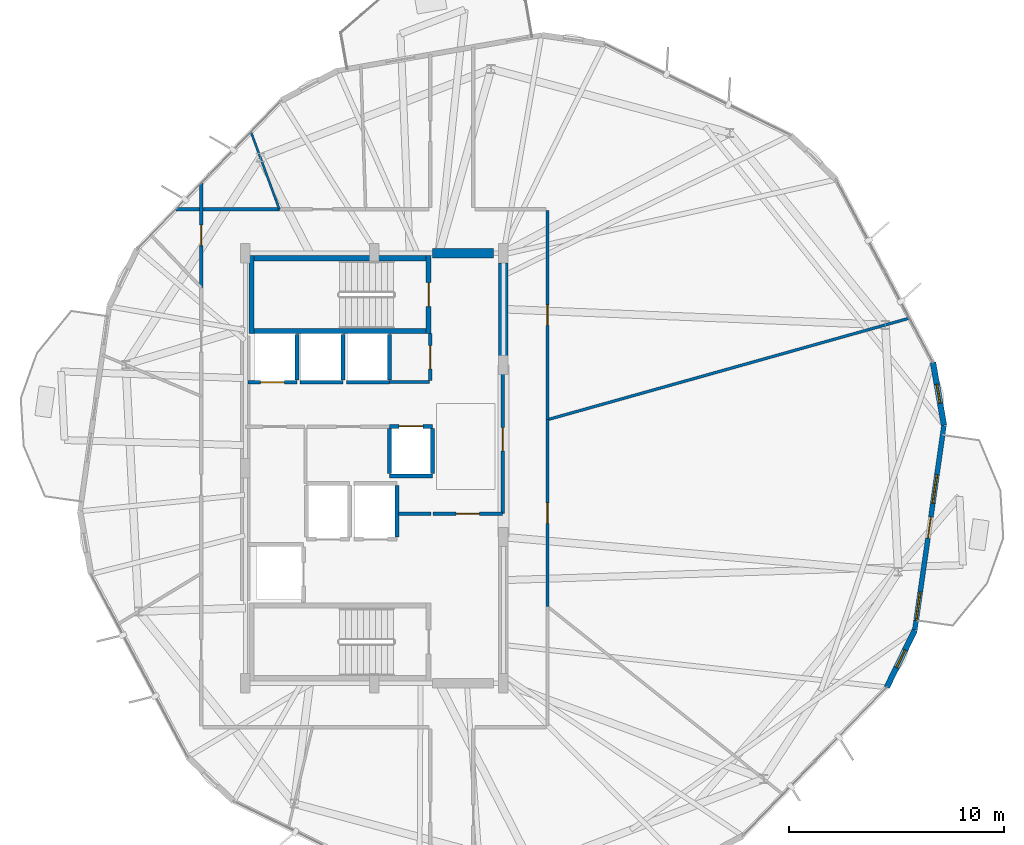
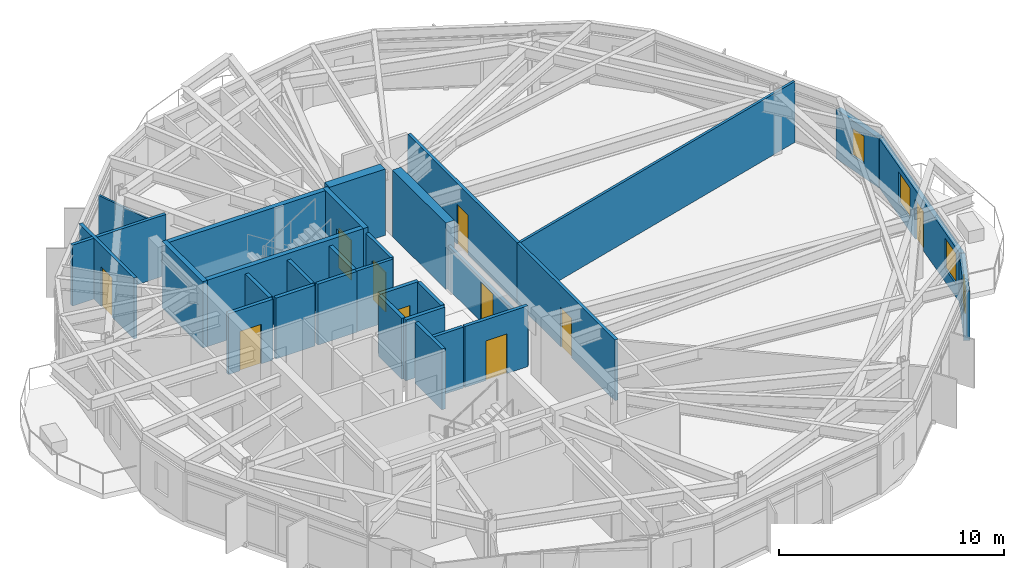
# One storey, part 24 of 28: 31 walls, 10 doors, 4 windows, 14 openings.
"""IFC4 building model written with IfcOpenShell, lengths in metres."""

from ifc_helpers import new_model, si_unit, direction, frame, frame_2d, origin, place, context, subcontext, project, spatial, rectangle, extrude, material, layer, layer_set, type_object, element, fill, save


model = new_model("IFC4")

# Units and contexts
model_context = context("Model", 3, precision=1e-05, world=origin(), true_north=direction((0.0, 1.0)))
body_context = subcontext(model_context, "Body", "Model", "MODEL_VIEW")
ifc_project = project(units=[si_unit("LENGTHUNIT", "METRE"), si_unit("AREAUNIT", "SQUARE_METRE"), si_unit("VOLUMEUNIT", "CUBIC_METRE"), si_unit("PLANEANGLEUNIT", "RADIAN"), si_unit("MASSUNIT", "GRAM", prefix="KILO")], contexts=[model_context])

# Site, building, storey
site_placement = place(None, origin())
site = spatial("IfcSite", under=ifc_project, at=site_placement, CompositionType="ELEMENT")
building_placement = place(site_placement, origin())
building = spatial("IfcBuilding", under=site, at=building_placement, Name="Soratama Intermodal Tower", CompositionType="ELEMENT")
storey_placement = place(building_placement, frame((0.0, 0.0, 201.39990234375)))
storey = spatial("IfcBuildingStorey", under=building, at=storey_placement, Name="L50", CompositionType="ELEMENT", Elevation=201.39990234375)

# Wall, openings, door, windows
ifc_material_1 = material(Name="Concrete f'c 42 MPa", Category="concrete")
ifc_layer_1 = layer(ifc_material_1, 0.22998046875)
ifc_layer_set_1 = layer_set([ifc_layer_1], Name="Concrete f'c 42 MPa")
wall_type_1 = type_object("IfcWallType", Name="EW-BAL-230", PredefinedType="SOLIDWALL", material=ifc_layer_set_1)
wall_1_placement = place(storey_placement, frame((63.736328125, 17.472900390625, 0.0), z_axis=(0.0, 0.0, 1.0), x_axis=(0.14089216596, 0.990024947954, 0.0)))
wall_1 = element("IfcWall", 1, at=wall_1_placement, inside=storey, type_object=wall_type_1, Name="L50 Terrace Wall F09", PredefinedType="SOLIDWALL", context=body_context, shape_type="SweptSolid", body=[
    extrude(rectangle(XDim=9.6240234375, YDim=0.22998046875, at=frame_2d((4.81201171875, 0.0))), origin(), (0.0, 0.0, 1.0), 2.67919921875),
])
opening_1_placement = place(wall_1_placement, frame((4.31201171875, 0.0, 0.0)))
opening_1 = element("IfcOpeningElement", 2, at=opening_1_placement, cuts=wall_1, Name="Opening ED-2", PredefinedType="OPENING", context=body_context, shape_type="SweptSolid", body=[
    extrude(rectangle(XDim=1.0, YDim=2.14990234375, at=frame_2d((0.5, 1.074951171875))), frame((0.0, 0.125, 0.0), z_axis=(0.0, -1.0, 0.0), x_axis=(1.0, 0.0, 0.0)), (0.0, 0.0, 1.0), 0.25),
])
opening_2_placement = place(wall_1_placement, frame((0.43994140625, 0.0, 0.719970703125)))
opening_2 = element("IfcOpeningElement", 3, at=opening_2_placement, cuts=wall_1, Name="Opening WN-4", PredefinedType="OPENING", context=body_context, shape_type="SweptSolid", body=[
    extrude(rectangle(XDim=1.35009765625, YDim=1.64990234375, at=frame_2d((0.675048828125, 0.824951171875))), frame((0.0, 0.125, 0.0), z_axis=(0.0, -1.0, 0.0), x_axis=(1.0, 0.0, 0.0)), (0.0, 0.0, 1.0), 0.25),
])
opening_3_placement = place(wall_1_placement, frame((5.9521484375, 0.0, 0.719970703125)))
opening_3 = element("IfcOpeningElement", 4, at=opening_3_placement, cuts=wall_1, Name="Opening WN-4", PredefinedType="OPENING", context=body_context, shape_type="SweptSolid", body=[
    extrude(rectangle(XDim=1.35009765625, YDim=1.64990234375, at=frame_2d((0.675048828125, 0.824951171875))), frame((0.0, 0.125, 0.0), z_axis=(0.0, -1.0, 0.0), x_axis=(1.0, 0.0, 0.0)), (0.0, 0.0, 1.0), 0.25),
])
ifc_material_2 = material(Name="Double-glazed aluminium door", Category="aluminium")
door_type_1 = type_object("IfcDoorType", Name="DR-BAL-1000", OperationType="NOTDEFINED", PredefinedType="DOOR", material=ifc_material_2)
door_1_placement = place(opening_1_placement, origin())
door_1 = element("IfcDoor", 5, at=door_1_placement, inside=storey, type_object=door_type_1, Name="L50 Balcony Door F09", OperationType="SINGLE_SWING_LEFT", OverallHeight=2.14990234375, OverallWidth=1.0, PredefinedType="DOOR", context=body_context, shape_type="SweptSolid", body=[
    extrude(rectangle(XDim=1.0, YDim=2.14990234375, at=frame_2d((0.5, 1.074951171875))), frame((0.0, 0.02490234375, 0.0), z_axis=(0.0, -1.0, 0.0), x_axis=(1.0, 0.0, 0.0)), (0.0, 0.0, 1.0), 0.050048828125),
])
fill(opening_1, door_1)
ifc_material_3 = material(Name="Double-glazed aluminium window", Category="aluminium")
window_type_1 = type_object("IfcWindowType", Name="WN-FAC-1350", PartitioningType="SINGLE_PANEL", PredefinedType="WINDOW", material=ifc_material_3)
window_1_placement = place(opening_2_placement, origin())
window_1 = element("IfcWindow", 6, at=window_1_placement, inside=storey, type_object=window_type_1, Name="L50 Window A F09", OverallHeight=1.64990234375, OverallWidth=1.35009765625, PartitioningType="SINGLE_PANEL", PredefinedType="WINDOW", context=body_context, shape_type="SweptSolid", body=[
    extrude(rectangle(XDim=1.35009765625, YDim=1.64990234375, at=frame_2d((0.675048828125, 0.824951171875))), frame((0.0, 0.030029296875, 0.0), z_axis=(0.0, -1.0, 0.0), x_axis=(1.0, 0.0, 0.0)), (0.0, 0.0, 1.0), 0.06005859375),
])
fill(opening_2, window_1)
window_2_placement = place(opening_3_placement, origin())
window_2 = element("IfcWindow", 7, at=window_2_placement, inside=storey, type_object=window_type_1, Name="L50 Window B F09", OverallHeight=1.64990234375, OverallWidth=1.35009765625, PartitioningType="SINGLE_PANEL", PredefinedType="WINDOW", context=body_context, shape_type="SweptSolid", body=[
    extrude(rectangle(XDim=1.35009765625, YDim=1.64990234375, at=frame_2d((0.675048828125, 0.824951171875))), frame((0.0, 0.030029296875, 0.0), z_axis=(0.0, -1.0, 0.0), x_axis=(1.0, 0.0, 0.0)), (0.0, 0.0, 1.0), 0.06005859375),
])
fill(opening_3, window_2)

# Wall, opening, window
ifc_material_4 = material(Name="Concrete f'c 42 MPa", Category="concrete")
ifc_layer_2 = layer(ifc_material_4, 0.27001953125)
ifc_layer_set_2 = layer_set([ifc_layer_2], Name="Concrete f'c 42 MPa")
wall_type_2 = type_object("IfcWallType", Name="EW-CRN-270", PredefinedType="SOLIDWALL", material=ifc_layer_set_2)
wall_2_placement = place(storey_placement, frame((62.43115234375, 14.808837890625, 0.0), z_axis=(0.0, 0.0, 1.0), x_axis=(0.439956847616, 0.898018915299, 0.0)))
wall_2 = element("IfcWall", 8, at=wall_2_placement, inside=storey, type_object=wall_type_2, Name="L50 Corner Closure Wall 08", PredefinedType="SOLIDWALL", context=body_context, shape_type="SweptSolid", body=[
    extrude(rectangle(XDim=2.966552734375, YDim=0.27001953125, at=frame_2d((1.4833984375, 0.0))), origin(), (0.0, 0.0, 1.0), 2.67919921875),
])
opening_4_placement = place(wall_2_placement, frame((1.033203125, 0.0, 0.75)))
opening_4 = element("IfcOpeningElement", 9, at=opening_4_placement, cuts=wall_2, Name="Opening WN-6", PredefinedType="OPENING", context=body_context, shape_type="SweptSolid", body=[
    extrude(rectangle(XDim=0.89990234375, YDim=1.5, at=frame_2d((0.449951171875, 0.75))), frame((0.0, 0.14501953125, 0.0), z_axis=(0.0, -1.0, 0.0), x_axis=(1.0, 0.0, 0.0)), (0.0, 0.0, 1.0), 0.2900390625),
])
ifc_material_5 = material(Name="Double-glazed aluminium window", Category="aluminium")
window_type_2 = type_object("IfcWindowType", Name="WN-FAC-900", PartitioningType="SINGLE_PANEL", PredefinedType="WINDOW", material=ifc_material_5)
window_3_placement = place(opening_4_placement, origin())
window_3 = element("IfcWindow", 10, at=window_3_placement, inside=storey, type_object=window_type_2, Name="L50 Corner Window 08", OverallHeight=1.5, OverallWidth=0.89990234375, PartitioningType="SINGLE_PANEL", PredefinedType="WINDOW", context=body_context, shape_type="SweptSolid", body=[
    extrude(rectangle(XDim=0.89990234375, YDim=1.5, at=frame_2d((0.449951171875, 0.75))), frame((0.0, 0.030029296875, 0.0), z_axis=(0.0, -1.0, 0.0), x_axis=(1.0, 0.0, 0.0)), (0.0, 0.0, 1.0), 0.06005859375),
])
fill(opening_4, window_3)

wall_3_placement = place(storey_placement, frame((65.09228515625, 27.0009765625, 0.0), z_axis=(0.0, 0.0, 1.0), x_axis=(-0.171921159352, 0.985110712036, 0.0)))
wall_3 = element("IfcWall", 11, at=wall_3_placement, inside=storey, type_object=wall_type_2, Name="L50 Corner Closure Wall 09", PredefinedType="SOLIDWALL", context=body_context, shape_type="SweptSolid", body=[
    extrude(rectangle(XDim=2.966552734375, YDim=0.27001953125, at=frame_2d((1.4833984375, 0.0))), origin(), (0.0, 0.0, 1.0), 2.67919921875),
])
opening_5_placement = place(wall_3_placement, frame((1.033203125, 0.0, 0.75)))
opening_5 = element("IfcOpeningElement", 12, at=opening_5_placement, cuts=wall_3, Name="Opening WN-6", PredefinedType="OPENING", context=body_context, shape_type="SweptSolid", body=[
    extrude(rectangle(XDim=0.89990234375, YDim=1.5, at=frame_2d((0.449951171875, 0.75))), frame((0.0, 0.14501953125, 0.0), z_axis=(0.0, -1.0, 0.0), x_axis=(1.0, 0.0, 0.0)), (0.0, 0.0, 1.0), 0.2900390625),
])
window_4_placement = place(opening_5_placement, origin())
window_4 = element("IfcWindow", 13, at=window_4_placement, inside=storey, type_object=window_type_2, Name="L50 Corner Window 09", OverallHeight=1.5, OverallWidth=0.89990234375, PartitioningType="SINGLE_PANEL", PredefinedType="WINDOW", context=body_context, shape_type="SweptSolid", body=[
    extrude(rectangle(XDim=0.89990234375, YDim=1.5, at=frame_2d((0.449951171875, 0.75))), frame((0.0, 0.030029296875, 0.0), z_axis=(0.0, -1.0, 0.0), x_axis=(1.0, 0.0, 0.0)), (0.0, 0.0, 1.0), 0.06005859375),
])
fill(opening_5, window_4)

# Wall, opening, door
ifc_material_6 = material(Name="Fire-rated gypsum stud partition", Category="concrete")
ifc_layer_3 = layer(ifc_material_6, 0.159912109375)
ifc_layer_set_3 = layer_set([ifc_layer_3], Name="Fire-rated gypsum stud partition")
wall_type_3 = type_object("IfcWallType", Name="IW-PART-R160", PredefinedType="PARTITIONING", material=ifc_layer_set_3)
wall_4_placement = place(storey_placement, frame((46.64990234375, 36.97998046875, 0.0), z_axis=(0.0, 0.0, 1.0), x_axis=(0.0, -1.0, 0.0)))
wall_4 = element("IfcWall", 14, at=wall_4_placement, inside=storey, type_object=wall_type_3, Name="L50 Partition W-L50-TP003", PredefinedType="PARTITIONING", context=body_context, shape_type="SweptSolid", body=[
    extrude(rectangle(XDim=9.721923828125, YDim=0.159912109375, at=frame_2d((4.86083984375, 0.0))), origin(), (0.0, 0.0, 1.0), 3.300048828125),
])
opening_6_placement = place(wall_4_placement, frame((4.385986328125, 0.0, 0.0)))
opening_6 = element("IfcOpeningElement", 15, at=opening_6_placement, cuts=wall_4, Name="Opening ID-3", PredefinedType="OPENING", context=body_context, shape_type="SweptSolid", body=[
    extrude(rectangle(XDim=0.949951171875, YDim=2.14990234375, at=frame_2d((0.47509765625, 1.074951171875))), frame((0.0, 0.08984375, 0.0), z_axis=(0.0, -1.0, 0.0), x_axis=(1.0, 0.0, 0.0)), (0.0, 0.0, 1.0), 0.179931640625),
])
ifc_material_7 = material(Name="Solid hardwood acoustic door", Category="wood")
door_type_2 = type_object("IfcDoorType", Name="DR-ROOM-950", OperationType="NOTDEFINED", PredefinedType="DOOR", material=ifc_material_7)
door_2_placement = place(opening_6_placement, origin())
door_2 = element("IfcDoor", 16, at=door_2_placement, inside=storey, type_object=door_type_2, Name="L50 Door D-L50-TP001", OperationType="SINGLE_SWING_RIGHT", OverallHeight=2.14990234375, OverallWidth=0.949951171875, PredefinedType="DOOR", context=body_context, shape_type="SweptSolid", body=[
    extrude(rectangle(XDim=0.949951171875, YDim=2.14990234375, at=frame_2d((0.47509765625, 1.074951171875))), frame((0.0, 0.02490234375, 0.0), z_axis=(0.0, -1.0, 0.0), x_axis=(1.0, 0.0, 0.0)), (0.0, 0.0, 1.0), 0.050048828125),
])
fill(opening_6, door_2)

wall_5_placement = place(storey_placement, frame((46.64990234375, 27.258056640625, 0.0), z_axis=(0.0, 0.0, 1.0), x_axis=(0.0, -1.0, 0.0)))
wall_5 = element("IfcWall", 17, at=wall_5_placement, inside=storey, type_object=wall_type_3, Name="L50 Partition W-L50-TP004", PredefinedType="PARTITIONING", context=body_context, shape_type="SweptSolid", body=[
    extrude(rectangle(XDim=8.68505859375, YDim=0.159912109375, at=frame_2d((4.342529296875, 0.0))), origin(), (0.0, 0.0, 1.0), 3.300048828125),
])
opening_7_placement = place(wall_5_placement, frame((3.866943359375, 0.0, 0.0)))
opening_7 = element("IfcOpeningElement", 18, at=opening_7_placement, cuts=wall_5, Name="Opening ID-3", PredefinedType="OPENING", context=body_context, shape_type="SweptSolid", body=[
    extrude(rectangle(XDim=0.949951171875, YDim=2.14990234375, at=frame_2d((0.47509765625, 1.074951171875))), frame((0.0, 0.08984375, 0.0), z_axis=(0.0, -1.0, 0.0), x_axis=(1.0, 0.0, 0.0)), (0.0, 0.0, 1.0), 0.179931640625),
])
door_3_placement = place(opening_7_placement, origin())
door_3 = element("IfcDoor", 19, at=door_3_placement, inside=storey, type_object=door_type_2, Name="L50 Door D-L50-TP002", OperationType="SINGLE_SWING_LEFT", OverallHeight=2.14990234375, OverallWidth=0.949951171875, PredefinedType="DOOR", context=body_context, shape_type="SweptSolid", body=[
    extrude(rectangle(XDim=0.949951171875, YDim=2.14990234375, at=frame_2d((0.47509765625, 1.074951171875))), frame((0.0, 0.02490234375, 0.0), z_axis=(0.0, -1.0, 0.0), x_axis=(1.0, 0.0, 0.0)), (0.0, 0.0, 1.0), 0.050048828125),
])
fill(opening_7, door_3)

wall_6_placement = place(storey_placement, frame((44.56005859375, 29.800048828125, 0.0), z_axis=(0.0, 0.0, 1.0), x_axis=(0.0, -1.0, 0.0)))
wall_6 = element("IfcWall", 20, at=wall_6_placement, inside=storey, type_object=wall_type_3, Name="L50 Partition W-L50-TP011", PredefinedType="PARTITIONING", context=body_context, shape_type="SweptSolid", body=[
    extrude(rectangle(XDim=6.91015625, YDim=0.159912109375, at=frame_2d((3.455078125, 0.0))), origin(), (0.0, 0.0, 1.0), 2.340087890625),
])
opening_8_placement = place(wall_6_placement, frame((2.9150390625, 0.0, 0.0)))
opening_8 = element("IfcOpeningElement", 21, at=opening_8_placement, cuts=wall_6, Name="Opening ID-1", PredefinedType="OPENING", context=body_context, shape_type="SweptSolid", body=[
    extrude(rectangle(XDim=1.080078125, YDim=2.14990234375, at=frame_2d((0.5400390625, 1.074951171875))), frame((0.0, 0.08984375, 0.0), z_axis=(0.0, -1.0, 0.0), x_axis=(1.0, 0.0, 0.0)), (0.0, 0.0, 1.0), 0.179931640625),
])
ifc_material_8 = material(Name="Solid hardwood acoustic door", Category="wood")
door_type_3 = type_object("IfcDoorType", Name="DR-LOB-FD60", OperationType="NOTDEFINED", PredefinedType="DOOR", material=ifc_material_8)
door_4_placement = place(opening_8_placement, origin())
door_4 = element("IfcDoor", 22, at=door_4_placement, inside=storey, type_object=door_type_3, Name="L50 Door D-L50-TP008", OperationType="SINGLE_SWING_LEFT", OverallHeight=2.14990234375, OverallWidth=1.080078125, PredefinedType="DOOR", context=body_context, shape_type="SweptSolid", body=[
    extrude(rectangle(XDim=1.080078125, YDim=2.14990234375, at=frame_2d((0.5400390625, 1.074951171875))), frame((0.0, 0.02490234375, 0.0), z_axis=(0.0, -1.0, 0.0), x_axis=(1.0, 0.0, 0.0)), (0.0, 0.0, 1.0), 0.050048828125),
])
fill(opening_8, door_4)

wall_7_placement = place(storey_placement, frame((30.550048828125, 33.40087890625, 0.0), z_axis=(0.0, 0.0, 1.0), x_axis=(0.0, 1.0, 0.0)))
wall_7 = element("IfcWall", 23, at=wall_7_placement, inside=storey, type_object=wall_type_3, Name="L50 Partition W-L50-TP018", PredefinedType="PARTITIONING", context=body_context, shape_type="SweptSolid", body=[
    extrude(rectangle(XDim=4.8662109375, YDim=0.159912109375, at=frame_2d((2.43310546875, 0.0))), origin(), (0.0, 0.0, 1.0), 3.300048828125),
])
opening_9_placement = place(wall_7_placement, frame((1.9580078125, 0.0, 0.0)))
opening_9 = element("IfcOpeningElement", 24, at=opening_9_placement, cuts=wall_7, Name="Opening ID-3", PredefinedType="OPENING", context=body_context, shape_type="SweptSolid", body=[
    extrude(rectangle(XDim=0.949951171875, YDim=2.14990234375, at=frame_2d((0.47509765625, 1.074951171875))), frame((0.0, 0.08984375, 0.0), z_axis=(0.0, -1.0, 0.0), x_axis=(1.0, 0.0, 0.0)), (0.0, 0.0, 1.0), 0.179931640625),
])
door_5_placement = place(opening_9_placement, origin())
door_5 = element("IfcDoor", 25, at=door_5_placement, inside=storey, type_object=door_type_2, Name="L50 Door D-L50-TP010", OperationType="SINGLE_SWING_LEFT", OverallHeight=2.14990234375, OverallWidth=0.949951171875, PredefinedType="DOOR", context=body_context, shape_type="SweptSolid", body=[
    extrude(rectangle(XDim=0.949951171875, YDim=2.14990234375, at=frame_2d((0.47509765625, 1.074951171875))), frame((0.0, 0.02490234375, 0.0), z_axis=(0.0, -1.0, 0.0), x_axis=(1.0, 0.0, 0.0)), (0.0, 0.0, 1.0), 0.050048828125),
])
fill(opening_9, door_5)

# Wall
wall_8_placement = place(storey_placement, frame((29.3701171875, 37.050048828125, 0.0), z_axis=(0.0, 0.0, 1.0), x_axis=(1.0, 0.0, 0.0)))
element("IfcWall", 26, at=wall_8_placement, inside=storey, type_object=wall_type_3, Name="L50 Partition W-L50-TP020", PredefinedType="PARTITIONING", context=body_context, shape_type="SweptSolid", body=[
    extrude(rectangle(XDim=4.806884765625, YDim=0.159912109375, at=frame_2d((2.4033203125, 0.0))), origin(), (0.0, 0.0, 1.0), 3.300048828125),
])

# Wall, opening, door
wall_9_placement = place(storey_placement, frame((41.199951171875, 29.070068359375, 0.0), z_axis=(0.0, 0.0, 1.0), x_axis=(0.0, 1.0, 0.0)))
wall_9 = element("IfcWall", 27, at=wall_9_placement, inside=storey, type_object=wall_type_3, Name="L50 Partition W-L50-TP032", PredefinedType="PARTITIONING", context=body_context, shape_type="SweptSolid", body=[
    extrude(rectangle(XDim=2.18994140625, YDim=0.159912109375, at=frame_2d((1.094970703125, 0.0))), origin(), (0.0, 0.0, 1.0), 3.300048828125),
])
opening_10_placement = place(wall_9_placement, frame((0.554931640625, 0.0, 0.0)))
opening_10 = element("IfcOpeningElement", 28, at=opening_10_placement, cuts=wall_9, Name="Opening ID-1", PredefinedType="OPENING", context=body_context, shape_type="SweptSolid", body=[
    extrude(rectangle(XDim=1.080078125, YDim=2.14990234375, at=frame_2d((0.5400390625, 1.074951171875))), frame((0.0, 0.08984375, 0.0), z_axis=(0.0, -1.0, 0.0), x_axis=(1.0, 0.0, 0.0)), (0.0, 0.0, 1.0), 0.179931640625),
])
door_6_placement = place(opening_10_placement, origin())
door_6 = element("IfcDoor", 29, at=door_6_placement, inside=storey, type_object=door_type_3, Name="L50 Door D-L50-TP015", OperationType="SINGLE_SWING_RIGHT", OverallHeight=2.14990234375, OverallWidth=1.080078125, PredefinedType="DOOR", context=body_context, shape_type="SweptSolid", body=[
    extrude(rectangle(XDim=1.080078125, YDim=2.14990234375, at=frame_2d((0.5400390625, 1.074951171875))), frame((0.0, 0.02490234375, 0.0), z_axis=(0.0, -1.0, 0.0), x_axis=(1.0, 0.0, 0.0)), (0.0, 0.0, 1.0), 0.050048828125),
])
fill(opening_10, door_6)

# Wall
wall_10_placement = place(storey_placement, frame((39.300048828125, 29.010009765625, 0.0), z_axis=(0.0, 0.0, 1.0), x_axis=(1.0, 0.0, 0.0)))
element("IfcWall", 30, at=wall_10_placement, inside=storey, type_object=wall_type_3, Name="L50 Partition W-L50-TP033", PredefinedType="PARTITIONING", context=body_context, shape_type="SweptSolid", body=[
    extrude(rectangle(XDim=1.85986328125, YDim=0.159912109375, at=frame_2d((0.929931640625, 0.0))), origin(), (0.0, 0.0, 1.0), 3.300048828125),
])

# Wall, opening, door
ifc_material_9 = material(Name="Fire-rated gypsum stud partition", Category="concrete")
ifc_layer_4 = layer(ifc_material_9, 0.169921875)
ifc_layer_set_4 = layer_set([ifc_layer_4], Name="Fire-rated gypsum stud partition")
wall_type_4 = type_object("IfcWallType", Name="IW-PART-R170", PredefinedType="PARTITIONING", material=ifc_layer_set_4)
wall_11_placement = place(storey_placement, frame((41.320068359375, 22.889892578125, 0.0), z_axis=(0.0, 0.0, 1.0), x_axis=(1.0, 0.0, 0.0)))
wall_11 = element("IfcWall", 31, at=wall_11_placement, inside=storey, type_object=wall_type_4, Name="L50 Partition W-L50-TP028", PredefinedType="PARTITIONING", context=body_context, shape_type="SweptSolid", body=[
    extrude(rectangle(XDim=3.239990234375, YDim=0.169921875, at=frame_2d((1.6201171875, 0.0))), origin(), (0.0, 0.0, 1.0), 3.300048828125),
])
opening_11_placement = place(wall_11_placement, frame((1.080078125, 0.0, 0.0)))
opening_11 = element("IfcOpeningElement", 32, at=opening_11_placement, cuts=wall_11, Name="Opening ID-0", PredefinedType="OPENING", context=body_context, shape_type="SweptSolid", body=[
    extrude(rectangle(XDim=1.080078125, YDim=2.14990234375, at=frame_2d((0.5400390625, 1.074951171875))), frame((0.0, 0.094970703125, 0.0), z_axis=(0.0, -1.0, 0.0), x_axis=(1.0, 0.0, 0.0)), (0.0, 0.0, 1.0), 0.18994140625),
])
ifc_material_10 = material(Name="Solid hardwood acoustic door", Category="wood")
door_type_4 = type_object("IfcDoorType", Name="DR-LOB-FD90", OperationType="NOTDEFINED", PredefinedType="DOOR", material=ifc_material_10)
door_7_placement = place(opening_11_placement, origin())
door_7 = element("IfcDoor", 33, at=door_7_placement, inside=storey, type_object=door_type_4, Name="L50 Door D-L50-TP013", OperationType="SINGLE_SWING_RIGHT", OverallHeight=2.14990234375, OverallWidth=1.080078125, PredefinedType="DOOR", context=body_context, shape_type="SweptSolid", body=[
    extrude(rectangle(XDim=1.080078125, YDim=2.14990234375, at=frame_2d((0.5400390625, 1.074951171875))), frame((0.0, 0.02490234375, 0.0), z_axis=(0.0, -1.0, 0.0), x_axis=(1.0, 0.0, 0.0)), (0.0, 0.0, 1.0), 0.050048828125),
])
fill(opening_11, door_7)

# Walls
wall_12_placement = place(storey_placement, frame((39.719970703125, 22.889892578125, 0.0), z_axis=(0.0, 0.0, 1.0), x_axis=(1.0, 0.0, 0.0)))
element("IfcWall", 34, at=wall_12_placement, inside=storey, type_object=wall_type_4, Name="L50 Partition W-L50-TP034", PredefinedType="PARTITIONING", context=body_context, shape_type="SweptSolid", body=[
    extrude(rectangle(XDim=1.52001953125, YDim=0.169921875, at=frame_2d((0.760009765625, 0.0))), origin(), (0.0, 0.0, 1.0), 3.300048828125),
])
ifc_material_11 = material(Name="Fire-rated gypsum stud partition", Category="concrete")
ifc_layer_5 = layer(ifc_material_11, 0.10009765625)
ifc_layer_set_5 = layer_set([ifc_layer_5], Name="Fire-rated gypsum stud partition")
wall_type_5 = type_object("IfcWallType", Name="IW-PART-S100", PredefinedType="PARTITIONING", material=ifc_layer_set_5)
wall_13_placement = place(storey_placement, frame((34.177001953125, 37.050048828125, 0.0), z_axis=(0.0, 0.0, 1.0), x_axis=(-0.344447438481, 0.938805604012, 0.0)))
element("IfcWall", 35, at=wall_13_placement, inside=storey, type_object=wall_type_5, Name="L50 Partition W-L50-TP024", PredefinedType="PARTITIONING", context=body_context, shape_type="SweptSolid", body=[
    extrude(rectangle(XDim=3.83251953125, YDim=0.10009765625, at=frame_2d((1.916259765625, 0.0))), origin(), (0.0, 0.0, 1.0), 2.59521484375),
])
ifc_material_12 = material(Name="Fire-rated gypsum stud partition", Category="concrete")
ifc_layer_6 = layer(ifc_material_12, 0.1298828125)
ifc_layer_set_6 = layer_set([ifc_layer_6], Name="Fire-rated gypsum stud partition")
wall_type_6 = type_object("IfcWallType", Name="IW-PART-S130", PredefinedType="PARTITIONING", material=ifc_layer_set_6)
wall_14_placement = place(storey_placement, frame((63.491943359375, 31.98193359375, 0.0), z_axis=(0.0, 0.0, 1.0), x_axis=(-0.962843609525, -0.270059592675, 0.0)))
element("IfcWall", 36, at=wall_14_placement, inside=storey, type_object=wall_type_6, Name="L50 Partition W-L50-TP001", PredefinedType="PARTITIONING", context=body_context, shape_type="SweptSolid", body=[
    extrude(rectangle(XDim=17.491943359375, YDim=0.1298828125, at=frame_2d((8.74609375, 0.0))), origin(), (0.0, 0.0, 1.0), 3.300048828125),
])
ifc_material_13 = material(Name="Concrete f'c 42 MPa", Category="concrete")
ifc_layer_7 = layer(ifc_material_13, 0.18505859375)
ifc_layer_set_7 = layer_set([ifc_layer_7], Name="Concrete f'c 42 MPa")
wall_type_7 = type_object("IfcWallType", Name="IW-SHAFT-185", PredefinedType="SOLIDWALL", material=ifc_layer_set_7)
wall_15_placement = place(storey_placement, frame((39.64990234375, 21.81005859375, 0.0), z_axis=(0.0, 0.0, 1.0), x_axis=(0.0, 1.0, 0.0)))
element("IfcWall", 37, at=wall_15_placement, inside=storey, type_object=wall_type_7, Name="L50 FFL-2 Hoistway Wall E", PredefinedType="SOLIDWALL", context=body_context, shape_type="SweptSolid", body=[
    extrude(rectangle(XDim=2.3798828125, YDim=0.18505859375, at=frame_2d((1.18994140625, 0.0))), origin(), (0.0, 0.0, 1.0), 3.300048828125),
])
wall_16_placement = place(storey_placement, frame((39.300048828125, 24.64990234375, 0.0), z_axis=(0.0, 0.0, 1.0), x_axis=(1.0, 0.0, 0.0)))
element("IfcWall", 38, at=wall_16_placement, inside=storey, type_object=wall_type_7, Name="L50 PL-M1 Hoistway Wall S", PredefinedType="SOLIDWALL", context=body_context, shape_type="SweptSolid", body=[
    extrude(rectangle(XDim=2.0, YDim=0.18505859375, at=frame_2d((1.0, 0.0))), origin(), (0.0, 0.0, 1.0), 3.300048828125),
])

# Wall, opening, door
wall_17_placement = place(storey_placement, frame((39.300048828125, 26.949951171875, 0.0), z_axis=(0.0, 0.0, 1.0), x_axis=(1.0, 0.0, 0.0)))
wall_17 = element("IfcWall", 39, at=wall_17_placement, inside=storey, type_object=wall_type_7, Name="L50 PL-M1 Hoistway Wall N", PredefinedType="SOLIDWALL", context=body_context, shape_type="SweptSolid", body=[
    extrude(rectangle(XDim=2.0, YDim=0.18505859375, at=frame_2d((1.0, 0.0))), origin(), (0.0, 0.0, 1.0), 3.300048828125),
])
opening_12_placement = place(wall_17_placement, frame((0.449951171875, 0.0, 0.0)))
opening_12 = element("IfcOpeningElement", 40, at=opening_12_placement, cuts=wall_17, Name="Opening LD-1", PredefinedType="OPENING", context=body_context, shape_type="SweptSolid", body=[
    extrude(rectangle(XDim=1.10009765625, YDim=2.14990234375, at=frame_2d((0.550048828125, 1.074951171875))), frame((0.0, 0.1025390625, 0.0), z_axis=(0.0, -1.0, 0.0), x_axis=(1.0, 0.0, 0.0)), (0.0, 0.0, 1.0), 0.205078125),
])
ifc_material_14 = material(Name="Steel fire door", Category="steel")
door_type_5 = type_object("IfcDoorType", Name="DR-LIFT-SLIDE", OperationType="NOTDEFINED", PredefinedType="DOOR", material=ifc_material_14)
door_8_placement = place(opening_12_placement, origin())
door_8 = element("IfcDoor", 41, at=door_8_placement, inside=storey, type_object=door_type_5, Name="L50 PL-M1 Sliding Landing Door", OperationType="SLIDING_TO_LEFT", OverallHeight=2.14990234375, OverallWidth=1.10009765625, PredefinedType="DOOR", context=body_context, shape_type="SweptSolid", body=[
    extrude(rectangle(XDim=1.10009765625, YDim=2.14990234375, at=frame_2d((0.550048828125, 1.074951171875))), frame((0.0, 0.02490234375, 0.0), z_axis=(0.0, -1.0, 0.0), x_axis=(1.0, 0.0, 0.0)), (0.0, 0.0, 1.0), 0.050048828125),
])
fill(opening_12, door_8)

# Walls
for number, where, z_axis, x_axis, name in (
    (42, (39.300048828125, 24.760009765625, 0.0), (0.0, 0.0, 1.0), (0.0, 1.0, 0.0), "L50 PL-M1 Hoistway Wall W"),
    (43, (41.300048828125, 24.760009765625, 0.0), (0.0, 0.0, 1.0), (0.0, 1.0, 0.0), "L50 PL-M1 Hoistway Wall E"),
):
    element("IfcWall", number, at=place(storey_placement, frame(where, z_axis=z_axis, x_axis=x_axis)), inside=storey, type_object=wall_type_7, Name=name, PredefinedType="SOLIDWALL", context=body_context, shape_type="SweptSolid", body=[
        extrude(rectangle(XDim=2.080078125, YDim=0.18505859375, at=frame_2d((1.0400390625, 0.0))), origin(), (0.0, 0.0, 1.0), 3.300048828125),
    ])

# Wall, opening, door
wall_18_placement = place(storey_placement, frame((32.719970703125, 29.0, 0.0), z_axis=(0.0, 0.0, 1.0), x_axis=(1.0, 0.0, 0.0)))
wall_18 = element("IfcWall", 44, at=wall_18_placement, inside=storey, type_object=wall_type_7, Name="L50 PL-M2 Hoistway Wall S", PredefinedType="SOLIDWALL", context=body_context, shape_type="SweptSolid", body=[
    extrude(rectangle(XDim=2.280029296875, YDim=0.18505859375, at=frame_2d((1.14013671875, 0.0))), origin(), (0.0, 0.0, 1.0), 3.300048828125),
])
opening_13_placement = place(wall_18_placement, frame((0.590087890625, 0.0, 0.0)))
opening_13 = element("IfcOpeningElement", 45, at=opening_13_placement, cuts=wall_18, Name="Opening LD-1", PredefinedType="OPENING", context=body_context, shape_type="SweptSolid", body=[
    extrude(rectangle(XDim=1.10009765625, YDim=2.14990234375, at=frame_2d((0.550048828125, 1.074951171875))), frame((0.0, 0.1025390625, 0.0), z_axis=(0.0, -1.0, 0.0), x_axis=(1.0, 0.0, 0.0)), (0.0, 0.0, 1.0), 0.205078125),
])
door_9_placement = place(opening_13_placement, origin())
door_9 = element("IfcDoor", 46, at=door_9_placement, inside=storey, type_object=door_type_5, Name="L50 PL-M2 Sliding Landing Door", OperationType="SLIDING_TO_LEFT", OverallHeight=2.14990234375, OverallWidth=1.10009765625, PredefinedType="DOOR", context=body_context, shape_type="SweptSolid", body=[
    extrude(rectangle(XDim=1.10009765625, YDim=2.14990234375, at=frame_2d((0.550048828125, 1.074951171875))), frame((0.0, 0.02490234375, 0.0), z_axis=(0.0, -1.0, 0.0), x_axis=(1.0, 0.0, 0.0)), (0.0, 0.0, 1.0), 0.050048828125),
])
fill(opening_13, door_9)

# Walls
wall_19_placement = place(storey_placement, frame((35.0, 29.110107421875, 0.0), z_axis=(0.0, 0.0, 1.0), x_axis=(0.0, 1.0, 0.0)))
element("IfcWall", 47, at=wall_19_placement, inside=storey, type_object=wall_type_7, Name="L50 PL-M2 Hoistway Wall E", PredefinedType="SOLIDWALL", context=body_context, shape_type="SweptSolid", body=[
    extrude(rectangle(XDim=2.099853515625, YDim=0.18505859375, at=frame_2d((1.0498046875, 0.0))), origin(), (0.0, 0.0, 1.0), 3.300048828125),
])
wall_20_placement = place(storey_placement, frame((35.14990234375, 29.0, 0.0), z_axis=(0.0, 0.0, 1.0), x_axis=(1.0, 0.0, 0.0)))
element("IfcWall", 48, at=wall_20_placement, inside=storey, type_object=wall_type_7, Name="L50 PL-H1 Hoistway Wall S", PredefinedType="SOLIDWALL", context=body_context, shape_type="SweptSolid", body=[
    extrude(rectangle(XDim=2.0, YDim=0.18505859375, at=frame_2d((1.0, 0.0))), origin(), (0.0, 0.0, 1.0), 3.300048828125),
])
wall_21_placement = place(storey_placement, frame((37.14990234375, 29.110107421875, 0.0), z_axis=(0.0, 0.0, 1.0), x_axis=(0.0, 1.0, 0.0)))
element("IfcWall", 49, at=wall_21_placement, inside=storey, type_object=wall_type_7, Name="L50 PL-H1 Hoistway Wall E", PredefinedType="SOLIDWALL", context=body_context, shape_type="SweptSolid", body=[
    extrude(rectangle(XDim=2.099853515625, YDim=0.18505859375, at=frame_2d((1.0498046875, 0.0))), origin(), (0.0, 0.0, 1.0), 3.300048828125),
])
wall_22_placement = place(storey_placement, frame((37.300048828125, 29.0, 0.0), z_axis=(0.0, 0.0, 1.0), x_axis=(1.0, 0.0, 0.0)))
element("IfcWall", 50, at=wall_22_placement, inside=storey, type_object=wall_type_7, Name="L50 PL-H2 Hoistway Wall S", PredefinedType="SOLIDWALL", context=body_context, shape_type="SweptSolid", body=[
    extrude(rectangle(XDim=2.0, YDim=0.18505859375, at=frame_2d((1.0, 0.0))), origin(), (0.0, 0.0, 1.0), 3.300048828125),
])
wall_23_placement = place(storey_placement, frame((39.300048828125, 29.110107421875, 0.0), z_axis=(0.0, 0.0, 1.0), x_axis=(0.0, 1.0, 0.0)))
element("IfcWall", 51, at=wall_23_placement, inside=storey, type_object=wall_type_7, Name="L50 PL-H2 Hoistway Wall E", PredefinedType="SOLIDWALL", context=body_context, shape_type="SweptSolid", body=[
    extrude(rectangle(XDim=2.099853515625, YDim=0.18505859375, at=frame_2d((1.0498046875, 0.0))), origin(), (0.0, 0.0, 1.0), 3.300048828125),
])
ifc_material_15 = material(Name="Concrete f'c 56 MPa", Category="concrete")
ifc_layer_8 = layer(ifc_material_15, 0.449951171875)
ifc_layer_set_8 = layer_set([ifc_layer_8], Name="Concrete f'c 56 MPa")
wall_type_8 = type_object("IfcWallType", Name="SW-CORE-450", PredefinedType="SHEAR", material=ifc_layer_set_8)
wall_24_placement = place(storey_placement, frame((41.300048828125, 35.0, 0.0), z_axis=(0.0, 0.0, 1.0), x_axis=(1.0, 0.0, 0.0)))
element("IfcWall", 52, at=wall_24_placement, inside=storey, type_object=wall_type_8, Name="L50 Core Shear Wall CW-NE", PredefinedType="SHEAR", context=body_context, shape_type="SweptSolid", body=[
    extrude(rectangle(XDim=2.849853515625, YDim=0.449951171875, at=frame_2d((1.4248046875, 0.0))), origin(), (0.0, 0.0, 1.0), 3.60009765625),
])
wall_25_placement = place(storey_placement, frame((44.60009765625, 29.800048828125, 0.0), z_axis=(0.0, 0.0, 1.0), x_axis=(0.0, 1.0, 0.0)))
element("IfcWall", 53, at=wall_25_placement, inside=storey, type_object=wall_type_8, Name="L50 Core Shear Wall CW-EN", PredefinedType="SHEAR", context=body_context, shape_type="SweptSolid", body=[
    extrude(rectangle(XDim=4.75, YDim=0.449951171875, at=frame_2d((2.375, 0.0))), origin(), (0.0, 0.0, 1.0), 3.60009765625),
])
ifc_material_16 = material(Name="Concrete f'c 56 MPa", Category="concrete")
ifc_layer_9 = layer(ifc_material_16, 0.239990234375)
ifc_layer_set_9 = layer_set([ifc_layer_9], Name="Concrete f'c 56 MPa")
wall_type_9 = type_object("IfcWallType", Name="SW-STAIR-240", PredefinedType="SHEAR", material=ifc_layer_set_9)
wall_26_placement = place(storey_placement, frame((32.8798828125, 31.260009765625, 0.0), z_axis=(0.0, 0.0, 1.0), x_axis=(0.0, 1.0, 0.0)))
element("IfcWall", 54, at=wall_26_placement, inside=storey, type_object=wall_type_9, Name="L50 ST-2 Shaft Shear Wall W", PredefinedType="SHEAR", context=body_context, shape_type="SweptSolid", body=[
    extrude(rectangle(XDim=3.6298828125, YDim=0.239990234375, at=frame_2d((1.81494140625, 0.0))), origin(), (0.0, 0.0, 1.0), 3.60009765625),
])

# Wall, opening, door
wall_27_placement = place(storey_placement, frame((41.1201171875, 31.260009765625, 0.0), z_axis=(0.0, 0.0, 1.0), x_axis=(0.0, 1.0, 0.0)))
wall_27 = element("IfcWall", 55, at=wall_27_placement, inside=storey, type_object=wall_type_9, Name="L50 ST-2 Shaft Shear Wall E", PredefinedType="SHEAR", context=body_context, shape_type="SweptSolid", body=[
    extrude(rectangle(XDim=3.6298828125, YDim=0.239990234375, at=frame_2d((1.81494140625, 0.0))), origin(), (0.0, 0.0, 1.0), 3.60009765625),
])
opening_14_placement = place(wall_27_placement, frame((1.2548828125, 0.0, 0.0)))
opening_14 = element("IfcOpeningElement", 56, at=opening_14_placement, cuts=wall_27, Name="Opening SD-1", PredefinedType="OPENING", context=body_context, shape_type="SweptSolid", body=[
    extrude(rectangle(XDim=1.1201171875, YDim=2.14990234375, at=frame_2d((0.56005859375, 1.074951171875))), frame((0.0, 0.1298828125, 0.0), z_axis=(0.0, -1.0, 0.0), x_axis=(1.0, 0.0, 0.0)), (0.0, 0.0, 1.0), 0.260009765625),
])
ifc_material_17 = material(Name="Steel fire door", Category="steel")
door_type_6 = type_object("IfcDoorType", Name="DR-STAIR-FD90", OperationType="NOTDEFINED", PredefinedType="DOOR", material=ifc_material_17)
door_10_placement = place(opening_14_placement, origin())
door_10 = element("IfcDoor", 57, at=door_10_placement, inside=storey, type_object=door_type_6, Name="L50 ST-2 Exit Stair Door", OperationType="SINGLE_SWING_RIGHT", OverallHeight=2.14990234375, OverallWidth=1.1201171875, PredefinedType="DOOR", context=body_context, shape_type="SweptSolid", body=[
    extrude(rectangle(XDim=1.1201171875, YDim=2.14990234375, at=frame_2d((0.56005859375, 1.074951171875))), frame((0.0, 0.02490234375, 0.0), z_axis=(0.0, -1.0, 0.0), x_axis=(1.0, 0.0, 0.0)), (0.0, 0.0, 1.0), 0.050048828125),
])
fill(opening_14, door_10)

# Walls
for number, where, z_axis, x_axis, name in (
    (58, (33.0, 31.3798828125, 0.0), (0.0, 0.0, 1.0), (1.0, 0.0, 0.0), "L50 ST-2 Shaft Shear Wall S"),
    (59, (33.0, 34.77001953125, 0.0), (0.0, 0.0, 1.0), (1.0, 0.0, 0.0), "L50 ST-2 Shaft Shear Wall N"),
):
    element("IfcWall", number, at=place(storey_placement, frame(where, z_axis=z_axis, x_axis=x_axis)), inside=storey, type_object=wall_type_9, Name=name, PredefinedType="SHEAR", context=body_context, shape_type="SweptSolid", body=[
        extrude(rectangle(XDim=8.0, YDim=0.239990234375, at=frame_2d((4.0, 0.0))), origin(), (0.0, 0.0, 1.0), 3.60009765625),
    ])

save(model, "model.ifc")
